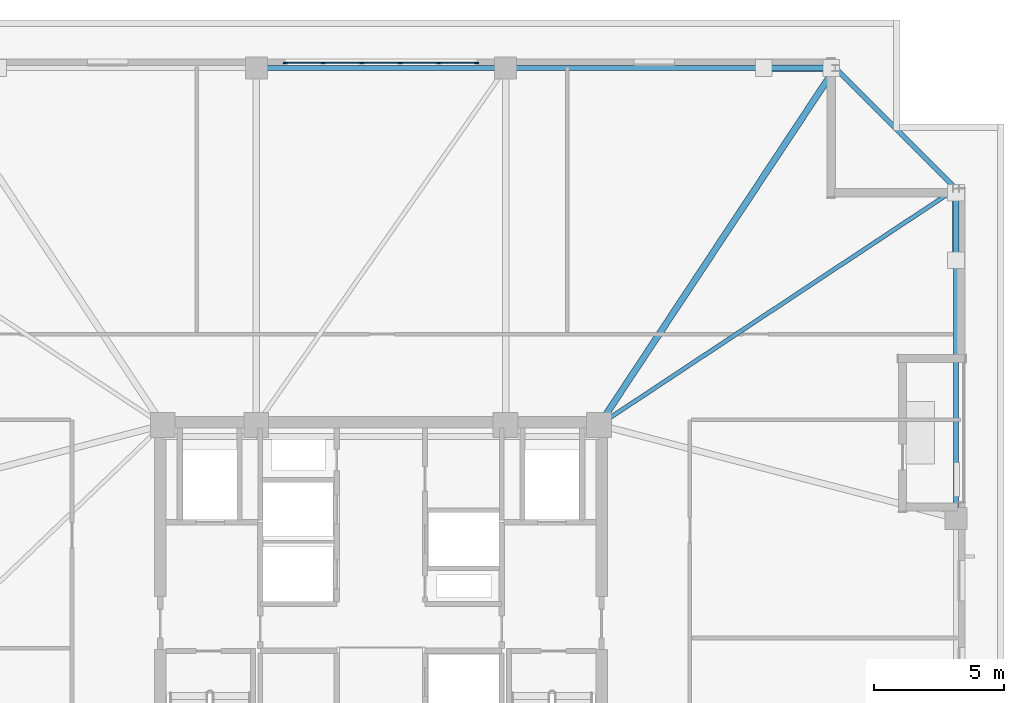
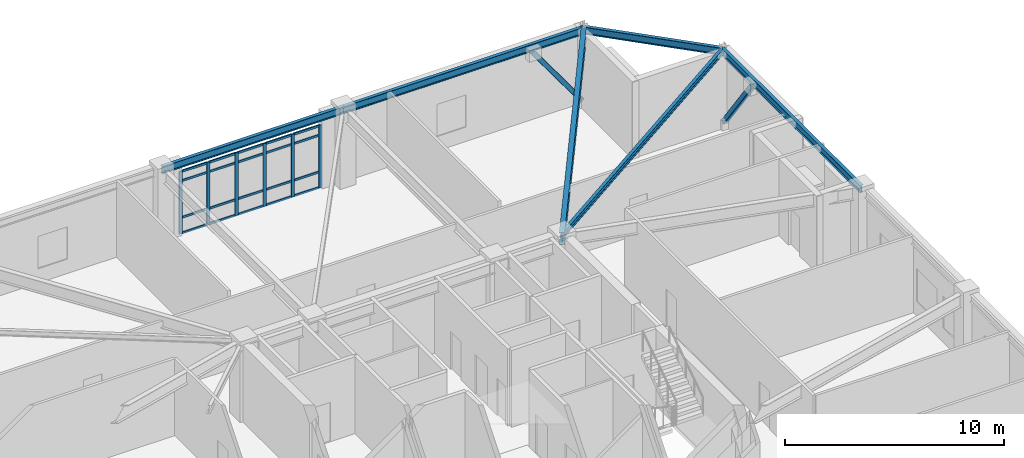
# One storey, part 9 of 18: 28 members, 6 beams, 1 element without a shape of its own.
"""IFC4 building model written with IfcOpenShell, lengths in metres."""

import ifcopenshell
import ifcopenshell.guid

model = None  # the IFC model being written
_history = None  # IfcOwnerHistory: only IFC2X3 demands one
_inside = {}  # id of a spatial element -> (the spatial element, [elements in it])
_under = {}  # id of a project, library or spatial element -> (it, [spatial elements below it])
_declared = {}  # id of a project -> (the project, [libraries it declares])
_typed = {}  # id of a type object -> (the type object, [elements of that type])
_made_of = {}  # id of a material, layer set ... -> (it, [elements and type objects made of it])


def new_model(schema):
    """Start an empty IFC model of exactly this schema.

    Asked for "IFC4X3", IfcOpenShell would pick the latest addendum, in which some entities
    have other attributes; the version numbers below select the first issue.
    IFC2X3 requires an IfcOwnerHistory on every rooted entity: one is made here for all.
    """
    global model, _history
    if schema == "IFC4X3":
        model = ifcopenshell.file(schema_version=(4, 3, 0, 0))
    else:
        model = ifcopenshell.file(schema=schema)
    _inside.clear()
    _under.clear()
    _declared.clear()
    _typed.clear()
    _made_of.clear()
    _history = None
    if model.schema == "IFC2X3":
        org = make("IfcOrganization", Name="unknown")
        user = make(
            "IfcPersonAndOrganization",
            ThePerson=make("IfcPerson", FamilyName="unknown"),
            TheOrganization=org,
        )
        app = make(
            "IfcApplication",
            ApplicationDeveloper=org,
            Version="unknown",
            ApplicationFullName="unknown",
            ApplicationIdentifier="unknown",
        )
        _history = make(
            "IfcOwnerHistory",
            OwningUser=user,
            OwningApplication=app,
            ChangeAction="ADDED",
            CreationDate=0,
        )
    return model


def make(cls, **values):
    """One entity of the class cls with the attributes given. An attribute that is None is left unset."""
    return model.create_entity(
        cls, **{name: value for name, value in values.items() if value is not None}
    )


def rooted(cls, **values):
    """An entity with a GlobalId (a new one), such as an element, a storey or a relation."""
    return make(cls, GlobalId=ifcopenshell.guid.new(), OwnerHistory=_history, **values)


def si_unit(unit_type, name, prefix=None):
    """IfcSIUnit, for example si_unit("LENGTHUNIT", "METRE", prefix="MILLI")."""
    return make("IfcSIUnit", UnitType=unit_type, Prefix=prefix, Name=name)


def assignment(units):
    """IfcUnitAssignment: the units of a project."""
    return None if units is None else make("IfcUnitAssignment", Units=units)


def point(xyz):
    """IfcCartesianPoint."""
    return None if xyz is None else make("IfcCartesianPoint", Coordinates=xyz)


def direction(xyz):
    """IfcDirection."""
    return None if xyz is None else make("IfcDirection", DirectionRatios=xyz)


def frame(location, z_axis=None, x_axis=None):
    """IfcAxis2Placement3D, a coordinate frame: its origin and axes. An axis left out is left unset."""
    return make(
        "IfcAxis2Placement3D",
        Location=point(location),
        Axis=direction(z_axis),
        RefDirection=direction(x_axis),
    )


def frame_2d(location, x_axis=None):
    """IfcAxis2Placement2D, a coordinate frame in the plane: its origin and x axis."""
    return make(
        "IfcAxis2Placement2D", Location=point(location), RefDirection=direction(x_axis)
    )


def origin():
    """The frame at (0, 0, 0) with its axes left unset."""
    return frame((0.0, 0.0, 0.0))


def origin_2d():
    """The frame at (0, 0) in the plane with its x axis left unset."""
    return frame_2d((0.0, 0.0))


def place(relative_to, where):
    """IfcLocalPlacement: puts the frame where relative to a parent placement (None: the world)."""
    return make(
        "IfcLocalPlacement", PlacementRelTo=relative_to, RelativePlacement=where
    )


def context(
    kind, dimensions, precision=None, world=None, true_north=None, identifier=None
):
    """IfcGeometricRepresentationContext, for example the 3D "Model" context."""
    return make(
        "IfcGeometricRepresentationContext",
        ContextIdentifier=identifier,
        ContextType=kind,
        CoordinateSpaceDimension=dimensions,
        Precision=precision,
        WorldCoordinateSystem=world,
        TrueNorth=true_north,
    )


def subcontext(parent, identifier, kind, view, scale=None):
    """IfcGeometricRepresentationSubContext, for example "Body" below "Model"."""
    return make(
        "IfcGeometricRepresentationSubContext",
        ContextIdentifier=identifier,
        ContextType=kind,
        ParentContext=parent,
        TargetScale=scale,
        TargetView=view,
    )


def project(units=None, contexts=None):
    """IfcProject with its units and contexts."""
    return rooted(
        "IfcProject",
        Name="project",
        RepresentationContexts=contexts,
        UnitsInContext=assignment(units),
    )


def spatial(cls, under=None, at=None, **own):
    """A site, building, storey or space (cls), placed at a placement, below another one or the project."""
    s = rooted(cls, ObjectPlacement=at, **own)
    if under is not None:
        _under.setdefault(under.id(), (under, []))[1].append(s)
    return s


def profile(cls, at=None, kind="AREA", **sizes):
    """A parametric profile (cls). Its sizes go by their IFC names, for example OverallWidth=200.0."""
    return make(cls, ProfileType=kind, Position=at, **sizes)


def rectangle(**sizes):
    """IfcRectangleProfileDef."""
    return profile("IfcRectangleProfileDef", **sizes)


def hollow_rectangle(**sizes):
    """IfcRectangleHollowProfileDef."""
    return profile("IfcRectangleHollowProfileDef", **sizes)


def i_section(**sizes):
    """IfcIShapeProfileDef."""
    return profile("IfcIShapeProfileDef", **sizes)


def extrude(swept, where, along, depth):
    """IfcExtrudedAreaSolid: the profile swept, set in the frame where, extruded along a direction by depth."""
    return make(
        "IfcExtrudedAreaSolid",
        SweptArea=swept,
        Position=where,
        ExtrudedDirection=direction(along),
        Depth=depth,
    )


def shape(context_of_items, identifier, shape_type, items):
    """IfcShapeRepresentation: the items that make up one representation, for example the "Body"."""
    return make(
        "IfcShapeRepresentation",
        ContextOfItems=context_of_items,
        RepresentationIdentifier=identifier,
        RepresentationType=shape_type,
        Items=items,
    )


def material(Name=None, Category=None):
    """IfcMaterial."""
    return make("IfcMaterial", Name=Name, Category=Category)


def layer(
    of_material, thickness, ventilated=None, Name=None, Category=None, Priority=None
):
    """IfcMaterialLayer: one layer of a wall or slab, of a material (None: an air gap)."""
    return make(
        "IfcMaterialLayer",
        Material=of_material,
        LayerThickness=thickness,
        IsVentilated=ventilated,
        Name=Name,
        Category=Category,
        Priority=Priority,
    )


def layer_set(layers, Name=None):
    """IfcMaterialLayerSet."""
    return make("IfcMaterialLayerSet", MaterialLayers=layers, LayerSetName=Name)


def material_profile(
    of_material, cross_section, Name=None, Category=None, Priority=None
):
    """IfcMaterialProfile: a cross section and its material."""
    return make(
        "IfcMaterialProfile",
        Name=Name,
        Material=of_material,
        Profile=cross_section,
        Priority=Priority,
        Category=Category,
    )


def profile_set(profiles, Name=None, composite=None):
    """IfcMaterialProfileSet."""
    return make(
        "IfcMaterialProfileSet",
        Name=Name,
        MaterialProfiles=profiles,
        CompositeProfile=composite,
    )


def made_of(thing, what):
    """Note that an element or type object is made of a material, layer set ...; save() writes the relation."""
    if what is not None:
        _made_of.setdefault(what.id(), (what, []))[1].append(thing)
    return thing


def type_object(cls, material=None, **own):
    """A type object (cls), such as IfcWallType, which elements share."""
    return made_of(rooted(cls, **own), material)


def element(
    cls,
    number,
    at=None,
    inside=None,
    cuts=None,
    type_object=None,
    material=None,
    context=None,
    identifier="Body",
    shape_type=None,
    held_by="IfcProductDefinitionShape",
    body=None,
    shapes=None,
    **own,
):
    """One element of the class cls, such as IfcWall. Its Tag is "e" and its number.

    at: its placement. inside: the storey or other place that contains it. cuts: it is an
    opening in that element (IfcRelVoidsElement). A single representation is given by context,
    identifier, shape_type and body (its items); several are given by shapes. held_by: the class
    of the entity that holds the representations. save() writes the other relations.
    """
    e = rooted(cls, Tag="e%d" % number, ObjectPlacement=at, **own)
    if body is not None:
        shapes = [shape(context, identifier, shape_type, body)]
    if shapes is not None:
        e.Representation = make(held_by, Representations=shapes)
    if inside is not None:
        _inside.setdefault(inside.id(), (inside, []))[1].append(e)
    if cuts is not None:
        rooted(
            "IfcRelVoidsElement", RelatingBuildingElement=cuts, RelatedOpeningElement=e
        )
    if type_object is not None:
        _typed.setdefault(type_object.id(), (type_object, []))[1].append(e)
    return made_of(e, material)


def aggregate(whole, parts):
    """IfcRelAggregates: a whole, such as a stair, and the parts it consists of."""
    return rooted("IfcRelAggregates", RelatingObject=whole, RelatedObjects=parts)


def save(model, path):
    """Write the relations noted so far, then the file.

    IfcRelAggregates (storeys below a building ...), IfcRelContainedInSpatialStructure (elements
    in a storey), IfcRelDefinesByType, IfcRelAssociatesMaterial and IfcRelDeclares: one each for
    every whole, place, type object, material and project.
    """
    for whole, parts in _under.values():
        aggregate(whole, parts)
    for where, things in _inside.values():
        rooted(
            "IfcRelContainedInSpatialStructure",
            RelatedElements=things,
            RelatingStructure=where,
        )
    for kind, things in _typed.values():
        rooted("IfcRelDefinesByType", RelatedObjects=things, RelatingType=kind)
    for what, things in _made_of.values():
        rooted("IfcRelAssociatesMaterial", RelatedObjects=things, RelatingMaterial=what)
    for by, libraries in _declared.values():
        rooted("IfcRelDeclares", RelatingContext=by, RelatedDefinitions=libraries)
    model.write(path)


model = new_model("IFC4")

# Units and contexts
model_context = context("Model", 3, precision=1e-05, world=origin(), true_north=direction((0.0, 1.0)))
body_context = subcontext(model_context, "Body", "Model", "MODEL_VIEW")
ifc_project = project(units=[si_unit("LENGTHUNIT", "METRE"), si_unit("AREAUNIT", "SQUARE_METRE"), si_unit("VOLUMEUNIT", "CUBIC_METRE"), si_unit("PLANEANGLEUNIT", "RADIAN"), si_unit("MASSUNIT", "GRAM", prefix="KILO")], contexts=[model_context])

# Site, building, storey
site_placement = place(None, origin())
site = spatial("IfcSite", under=ifc_project, at=site_placement, CompositionType="ELEMENT")
building_placement = place(site_placement, origin())
building = spatial("IfcBuilding", under=site, at=building_placement, Name="Cairnveth Concourse Tower", CompositionType="ELEMENT")
storey_placement = place(building_placement, frame((0.0, 0.0, 198.0)))
storey = spatial("IfcBuildingStorey", under=building, at=storey_placement, Name="L54", CompositionType="ELEMENT", Elevation=198.0)

# Curtain wall, members
ifc_material_1 = material(Name="Architectural Bronze Anodised Aluminium 6063-T6", Category="aluminium")
ifc_layer = layer(ifc_material_1, 0.320068359375)
ifc_layer_set = layer_set([ifc_layer], Name="Architectural Bronze Anodised Aluminium 6063-T6")
curtain_wall_type = type_object("IfcCurtainWallType", Name="SKY LOBBY WINTERGARDEN CURTAIN WALL", PredefinedType="USERDEFINED", material=ifc_layer_set)
curtain_wall_placement = place(storey_placement, origin())
curtain_wall = element("IfcCurtainWall", 1, at=curtain_wall_placement, inside=storey, type_object=curtain_wall_type, Name="Curtain Wall CW-L54-F9", ObjectType="UNITISED FACADE", PredefinedType="USERDEFINED")
ifc_material_profile_1 = material_profile(ifc_material_1, rectangle(XDim=0.06494140625, YDim=0.179931640625, at=origin_2d()), Name="AL-MUL-65x180")
ifc_profile_set_1 = profile_set([ifc_material_profile_1], Name="Architectural Bronze Anodised Aluminium 6063-T6")
member_type_1 = type_object("IfcMemberType", Name="BRONZE CURTAIN WALL MULLION AL-MUL-65x180", PredefinedType="MULLION", material=ifc_profile_set_1)
member_1_placement = place(storey_placement, frame((48.3173828125, 61.340087890625, 0.0), z_axis=(0.0, 0.0, 1.0), x_axis=(0.0, 1.0, 0.0)))
member_1 = element("IfcMember", 2, at=member_1_placement, type_object=member_type_1, Name="CWS4 mullion 1", PredefinedType="MULLION", context=body_context, shape_type="SweptSolid", body=[
    extrude(rectangle(XDim=0.06494140625, YDim=0.179931640625, at=origin_2d()), origin(), (0.0, 0.0, 1.0), 3.498046875),
])
member_2_placement = place(storey_placement, frame((49.77099609375, 61.340087890625, 0.0), z_axis=(0.0, 0.0, 1.0), x_axis=(0.0, 1.0, 0.0)))
member_2 = element("IfcMember", 3, at=member_2_placement, type_object=member_type_1, Name="CWS4 mullion 2", PredefinedType="MULLION", context=body_context, shape_type="SweptSolid", body=[
    extrude(rectangle(XDim=0.06494140625, YDim=0.179931640625, at=origin_2d()), origin(), (0.0, 0.0, 1.0), 3.498046875),
])
member_3_placement = place(storey_placement, frame((51.257080078125, 61.340087890625, 0.0), z_axis=(0.0, 0.0, 1.0), x_axis=(0.0, 1.0, 0.0)))
member_3 = element("IfcMember", 4, at=member_3_placement, type_object=member_type_1, Name="CWS4 mullion 3", PredefinedType="MULLION", context=body_context, shape_type="SweptSolid", body=[
    extrude(rectangle(XDim=0.06494140625, YDim=0.179931640625, at=origin_2d()), origin(), (0.0, 0.0, 1.0), 3.498046875),
])
member_4_placement = place(storey_placement, frame((52.742919921875, 61.340087890625, 0.0), z_axis=(0.0, 0.0, 1.0), x_axis=(0.0, 1.0, 0.0)))
member_4 = element("IfcMember", 5, at=member_4_placement, type_object=member_type_1, Name="CWS4 mullion 4", PredefinedType="MULLION", context=body_context, shape_type="SweptSolid", body=[
    extrude(rectangle(XDim=0.06494140625, YDim=0.179931640625, at=origin_2d()), origin(), (0.0, 0.0, 1.0), 3.498046875),
])
member_5_placement = place(storey_placement, frame((54.22900390625, 61.340087890625, 0.0), z_axis=(0.0, 0.0, 1.0), x_axis=(0.0, 1.0, 0.0)))
member_5 = element("IfcMember", 6, at=member_5_placement, type_object=member_type_1, Name="CWS4 mullion 5", PredefinedType="MULLION", context=body_context, shape_type="SweptSolid", body=[
    extrude(rectangle(XDim=0.06494140625, YDim=0.179931640625, at=origin_2d()), origin(), (0.0, 0.0, 1.0), 3.498046875),
])
member_6_placement = place(storey_placement, frame((55.6826171875, 61.340087890625, 0.0), z_axis=(0.0, 0.0, 1.0), x_axis=(0.0, 1.0, 0.0)))
member_6 = element("IfcMember", 7, at=member_6_placement, type_object=member_type_1, Name="CWS4 mullion 6", PredefinedType="MULLION", context=body_context, shape_type="SweptSolid", body=[
    extrude(rectangle(XDim=0.06494140625, YDim=0.179931640625, at=origin_2d()), origin(), (0.0, 0.0, 1.0), 3.498046875),
])
ifc_material_profile_2 = material_profile(ifc_material_1, rectangle(XDim=0.06494140625, YDim=0.1201171875, at=origin_2d()), Name="AL-TRN-65x120")
ifc_profile_set_2 = profile_set([ifc_material_profile_2], Name="Architectural Bronze Anodised Aluminium 6063-T6")
member_type_2 = type_object("IfcMemberType", Name="BRONZE CURTAIN WALL TRANSOM AL-TRN-65x120", PredefinedType="USERDEFINED", material=ifc_profile_set_2)
member_7_placement = place(storey_placement, frame((48.35009765625, 61.340087890625, 0.032470703125), z_axis=(1.0, 0.0, 0.0), x_axis=(0.0, 1.0, 0.0)))
member_7 = element("IfcMember", 8, at=member_7_placement, type_object=member_type_2, Name="CWS4 transom 1.1", ObjectType="TRANSOM", PredefinedType="USERDEFINED", context=body_context, shape_type="SweptSolid", body=[
    extrude(rectangle(XDim=0.06494140625, YDim=0.1201171875, at=origin_2d()), origin(), (0.0, 0.0, 1.0), 1.388427734375),
])
member_8_placement = place(storey_placement, frame((48.35009765625, 61.340087890625, 0.89990234375), z_axis=(1.0, 0.0, 0.0), x_axis=(0.0, 1.0, 0.0)))
member_8 = element("IfcMember", 9, at=member_8_placement, type_object=member_type_2, Name="CWS4 transom 1.2", ObjectType="TRANSOM", PredefinedType="USERDEFINED", context=body_context, shape_type="SweptSolid", body=[
    extrude(rectangle(XDim=0.06494140625, YDim=0.1201171875, at=origin_2d()), origin(), (0.0, 0.0, 1.0), 1.388427734375),
])
member_9_placement = place(storey_placement, frame((48.35009765625, 61.340087890625, 2.947998046875), z_axis=(1.0, 0.0, 0.0), x_axis=(0.0, 1.0, 0.0)))
member_9 = element("IfcMember", 10, at=member_9_placement, type_object=member_type_2, Name="CWS4 transom 1.3", ObjectType="TRANSOM", PredefinedType="USERDEFINED", context=body_context, shape_type="SweptSolid", body=[
    extrude(rectangle(XDim=0.06494140625, YDim=0.1201171875, at=origin_2d()), origin(), (0.0, 0.0, 1.0), 1.388427734375),
])
member_10_placement = place(storey_placement, frame((48.35009765625, 61.340087890625, 3.465576171875), z_axis=(1.0, 0.0, 0.0), x_axis=(0.0, 1.0, 0.0)))
member_10 = element("IfcMember", 11, at=member_10_placement, type_object=member_type_2, Name="CWS4 transom 1.4", ObjectType="TRANSOM", PredefinedType="USERDEFINED", context=body_context, shape_type="SweptSolid", body=[
    extrude(rectangle(XDim=0.06494140625, YDim=0.1201171875, at=origin_2d()), origin(), (0.0, 0.0, 1.0), 1.388427734375),
])
member_11_placement = place(storey_placement, frame((49.803466796875, 61.340087890625, 0.032470703125), z_axis=(1.0, 0.0, 0.0), x_axis=(0.0, 1.0, 0.0)))
member_11 = element("IfcMember", 12, at=member_11_placement, type_object=member_type_2, Name="CWS4 transom 2.1", ObjectType="TRANSOM", PredefinedType="USERDEFINED", context=body_context, shape_type="SweptSolid", body=[
    extrude(rectangle(XDim=0.06494140625, YDim=0.1201171875, at=origin_2d()), origin(), (0.0, 0.0, 1.0), 1.421142578125),
])
member_12_placement = place(storey_placement, frame((49.803466796875, 61.340087890625, 0.89990234375), z_axis=(1.0, 0.0, 0.0), x_axis=(0.0, 1.0, 0.0)))
member_12 = element("IfcMember", 13, at=member_12_placement, type_object=member_type_2, Name="CWS4 transom 2.2", ObjectType="TRANSOM", PredefinedType="USERDEFINED", context=body_context, shape_type="SweptSolid", body=[
    extrude(rectangle(XDim=0.06494140625, YDim=0.1201171875, at=origin_2d()), origin(), (0.0, 0.0, 1.0), 1.421142578125),
])
member_13_placement = place(storey_placement, frame((49.803466796875, 61.340087890625, 2.947998046875), z_axis=(1.0, 0.0, 0.0), x_axis=(0.0, 1.0, 0.0)))
member_13 = element("IfcMember", 14, at=member_13_placement, type_object=member_type_2, Name="CWS4 transom 2.3", ObjectType="TRANSOM", PredefinedType="USERDEFINED", context=body_context, shape_type="SweptSolid", body=[
    extrude(rectangle(XDim=0.06494140625, YDim=0.1201171875, at=origin_2d()), origin(), (0.0, 0.0, 1.0), 1.421142578125),
])
member_14_placement = place(storey_placement, frame((49.803466796875, 61.340087890625, 3.465576171875), z_axis=(1.0, 0.0, 0.0), x_axis=(0.0, 1.0, 0.0)))
member_14 = element("IfcMember", 15, at=member_14_placement, type_object=member_type_2, Name="CWS4 transom 2.4", ObjectType="TRANSOM", PredefinedType="USERDEFINED", context=body_context, shape_type="SweptSolid", body=[
    extrude(rectangle(XDim=0.06494140625, YDim=0.1201171875, at=origin_2d()), origin(), (0.0, 0.0, 1.0), 1.421142578125),
])
member_15_placement = place(storey_placement, frame((51.28955078125, 61.340087890625, 0.032470703125), z_axis=(1.0, 0.0, 0.0), x_axis=(0.0, 1.0, 0.0)))
member_15 = element("IfcMember", 16, at=member_15_placement, type_object=member_type_2, Name="CWS4 transom 3.1", ObjectType="TRANSOM", PredefinedType="USERDEFINED", context=body_context, shape_type="SweptSolid", body=[
    extrude(rectangle(XDim=0.06494140625, YDim=0.1201171875, at=origin_2d()), origin(), (0.0, 0.0, 1.0), 1.4208984375),
])
member_16_placement = place(storey_placement, frame((51.28955078125, 61.340087890625, 0.89990234375), z_axis=(1.0, 0.0, 0.0), x_axis=(0.0, 1.0, 0.0)))
member_16 = element("IfcMember", 17, at=member_16_placement, type_object=member_type_2, Name="CWS4 transom 3.2", ObjectType="TRANSOM", PredefinedType="USERDEFINED", context=body_context, shape_type="SweptSolid", body=[
    extrude(rectangle(XDim=0.06494140625, YDim=0.1201171875, at=origin_2d()), origin(), (0.0, 0.0, 1.0), 1.4208984375),
])
member_17_placement = place(storey_placement, frame((51.28955078125, 61.340087890625, 2.947998046875), z_axis=(1.0, 0.0, 0.0), x_axis=(0.0, 1.0, 0.0)))
member_17 = element("IfcMember", 18, at=member_17_placement, type_object=member_type_2, Name="CWS4 transom 3.3", ObjectType="TRANSOM", PredefinedType="USERDEFINED", context=body_context, shape_type="SweptSolid", body=[
    extrude(rectangle(XDim=0.06494140625, YDim=0.1201171875, at=origin_2d()), origin(), (0.0, 0.0, 1.0), 1.4208984375),
])
member_18_placement = place(storey_placement, frame((51.28955078125, 61.340087890625, 3.465576171875), z_axis=(1.0, 0.0, 0.0), x_axis=(0.0, 1.0, 0.0)))
member_18 = element("IfcMember", 19, at=member_18_placement, type_object=member_type_2, Name="CWS4 transom 3.4", ObjectType="TRANSOM", PredefinedType="USERDEFINED", context=body_context, shape_type="SweptSolid", body=[
    extrude(rectangle(XDim=0.06494140625, YDim=0.1201171875, at=origin_2d()), origin(), (0.0, 0.0, 1.0), 1.4208984375),
])
member_19_placement = place(storey_placement, frame((52.775390625, 61.340087890625, 0.032470703125), z_axis=(1.0, 0.0, 0.0), x_axis=(0.0, 1.0, 0.0)))
member_19 = element("IfcMember", 20, at=member_19_placement, type_object=member_type_2, Name="CWS4 transom 4.1", ObjectType="TRANSOM", PredefinedType="USERDEFINED", context=body_context, shape_type="SweptSolid", body=[
    extrude(rectangle(XDim=0.06494140625, YDim=0.1201171875, at=origin_2d()), origin(), (0.0, 0.0, 1.0), 1.421142578125),
])
member_20_placement = place(storey_placement, frame((52.775390625, 61.340087890625, 0.89990234375), z_axis=(1.0, 0.0, 0.0), x_axis=(0.0, 1.0, 0.0)))
member_20 = element("IfcMember", 21, at=member_20_placement, type_object=member_type_2, Name="CWS4 transom 4.2", ObjectType="TRANSOM", PredefinedType="USERDEFINED", context=body_context, shape_type="SweptSolid", body=[
    extrude(rectangle(XDim=0.06494140625, YDim=0.1201171875, at=origin_2d()), origin(), (0.0, 0.0, 1.0), 1.421142578125),
])
member_21_placement = place(storey_placement, frame((52.775390625, 61.340087890625, 2.947998046875), z_axis=(1.0, 0.0, 0.0), x_axis=(0.0, 1.0, 0.0)))
member_21 = element("IfcMember", 22, at=member_21_placement, type_object=member_type_2, Name="CWS4 transom 4.3", ObjectType="TRANSOM", PredefinedType="USERDEFINED", context=body_context, shape_type="SweptSolid", body=[
    extrude(rectangle(XDim=0.06494140625, YDim=0.1201171875, at=origin_2d()), origin(), (0.0, 0.0, 1.0), 1.421142578125),
])
member_22_placement = place(storey_placement, frame((52.775390625, 61.340087890625, 3.465576171875), z_axis=(1.0, 0.0, 0.0), x_axis=(0.0, 1.0, 0.0)))
member_22 = element("IfcMember", 23, at=member_22_placement, type_object=member_type_2, Name="CWS4 transom 4.4", ObjectType="TRANSOM", PredefinedType="USERDEFINED", context=body_context, shape_type="SweptSolid", body=[
    extrude(rectangle(XDim=0.06494140625, YDim=0.1201171875, at=origin_2d()), origin(), (0.0, 0.0, 1.0), 1.421142578125),
])
member_23_placement = place(storey_placement, frame((54.261474609375, 61.340087890625, 0.032470703125), z_axis=(1.0, 0.0, 0.0), x_axis=(0.0, 1.0, 0.0)))
member_23 = element("IfcMember", 24, at=member_23_placement, type_object=member_type_2, Name="CWS4 transom 5.1", ObjectType="TRANSOM", PredefinedType="USERDEFINED", context=body_context, shape_type="SweptSolid", body=[
    extrude(rectangle(XDim=0.06494140625, YDim=0.1201171875, at=origin_2d()), origin(), (0.0, 0.0, 1.0), 1.388427734375),
])
member_24_placement = place(storey_placement, frame((54.261474609375, 61.340087890625, 0.89990234375), z_axis=(1.0, 0.0, 0.0), x_axis=(0.0, 1.0, 0.0)))
member_24 = element("IfcMember", 25, at=member_24_placement, type_object=member_type_2, Name="CWS4 transom 5.2", ObjectType="TRANSOM", PredefinedType="USERDEFINED", context=body_context, shape_type="SweptSolid", body=[
    extrude(rectangle(XDim=0.06494140625, YDim=0.1201171875, at=origin_2d()), origin(), (0.0, 0.0, 1.0), 1.388427734375),
])
member_25_placement = place(storey_placement, frame((54.261474609375, 61.340087890625, 2.947998046875), z_axis=(1.0, 0.0, 0.0), x_axis=(0.0, 1.0, 0.0)))
member_25 = element("IfcMember", 26, at=member_25_placement, type_object=member_type_2, Name="CWS4 transom 5.3", ObjectType="TRANSOM", PredefinedType="USERDEFINED", context=body_context, shape_type="SweptSolid", body=[
    extrude(rectangle(XDim=0.06494140625, YDim=0.1201171875, at=origin_2d()), origin(), (0.0, 0.0, 1.0), 1.388427734375),
])
member_26_placement = place(storey_placement, frame((54.261474609375, 61.340087890625, 3.465576171875), z_axis=(1.0, 0.0, 0.0), x_axis=(0.0, 1.0, 0.0)))
member_26 = element("IfcMember", 27, at=member_26_placement, type_object=member_type_2, Name="CWS4 transom 5.4", ObjectType="TRANSOM", PredefinedType="USERDEFINED", context=body_context, shape_type="SweptSolid", body=[
    extrude(rectangle(XDim=0.06494140625, YDim=0.1201171875, at=origin_2d()), origin(), (0.0, 0.0, 1.0), 1.388427734375),
])
aggregate(curtain_wall, [member_1, member_2, member_3, member_4, member_5, member_6, member_7, member_8, member_9, member_10, member_11, member_12, member_13, member_14, member_15, member_16, member_17, member_18, member_19, member_20, member_21, member_22, member_23, member_24, member_25, member_26])

# Beam
ifc_material_2 = material(Name="Steel Grade 350", Category="steel")
ifc_material_profile_3 = material_profile(ifc_material_2, i_section(OverallWidth=0.166015625, OverallDepth=0.306884765625, WebThickness=0.006591796875, FlangeThickness=0.01171875, FilletRadius=0.010986328125, at=origin_2d()), Name="310UB46.2")
ifc_profile_set_3 = profile_set([ifc_material_profile_3], Name="Steel Grade 350")
beam_type_1 = type_object("IfcBeamType", Name="ZONE 3 FLOOR JOIST 310UB46.2", PredefinedType="JOIST", material=ifc_profile_set_3)
beam_1_placement = place(storey_placement, frame((74.14990234375, 56.5, 4.136474609375), z_axis=(-0.833908956207, -0.551902031848, 0.0), x_axis=(0.551902031848, -0.833908956207, 0.0)))
element("IfcBeam", 28, at=beam_1_placement, inside=storey, type_object=beam_type_1, Name="Beam FJ-CNE2 L54", PredefinedType="JOIST", context=body_context, shape_type="SweptSolid", body=[
    extrude(i_section(OverallWidth=0.166015625, OverallDepth=0.306884765625, WebThickness=0.006591796875, FlangeThickness=0.01171875, FilletRadius=0.010986328125, at=origin_2d()), origin(), (0.0, 0.0, 1.0), 16.488525390625),
])

# Members
ifc_material_3 = material(Name="Steel C350L0 (350 MPa)", Category="steel")
ifc_material_profile_4 = material_profile(ifc_material_3, hollow_rectangle(XDim=0.25, YDim=0.25, WallThickness=0.012451171875, InnerFilletRadius=0.012939453125, OuterFilletRadius=0.02490234375, at=origin_2d()), Name="250x250x12.5SHS")
ifc_profile_set_4 = profile_set([ifc_material_profile_4], Name="Steel C350L0 (350 MPa)")
member_type_3 = type_object("IfcMemberType", Name="ZONE 3 PIER BRACE 250X250X12.5SHS", PredefinedType="BRACE", material=ifc_profile_set_4)
for number, where, z_axis, x_axis, name in (
    (29, (69.35009765625, 61.14990234375, 0.25), (-0.586565875469, 0.0, 0.809901521011), (0.0, -1.0, 0.0), "Structural Brace PB-N2 L54"),
    (30, (74.14990234375, 56.35009765625, 0.25), (0.0, -0.586565875469, 0.809901521011), (1.0, 0.0, 0.0), "Structural Brace PB-E2 L54"),
):
    element("IfcMember", number, at=place(storey_placement, frame(where, z_axis=z_axis, x_axis=x_axis)), inside=storey, type_object=member_type_3, Name=name, PredefinedType="BRACE", context=body_context, shape_type="SweptSolid", body=[
        extrude(hollow_rectangle(XDim=0.25, YDim=0.25, WallThickness=0.012451171875, InnerFilletRadius=0.012939453125, OuterFilletRadius=0.02490234375, at=origin_2d()), origin(), (0.0, 0.0, 1.0), 4.432861328125),
    ])

# Beams
ifc_material_profile_5 = material_profile(ifc_material_2, i_section(OverallWidth=0.25, OverallDepth=0.69189453125, WebThickness=0.010009765625, FlangeThickness=0.02490234375, at=origin_2d()), Name="700WB150")
ifc_profile_set_5 = profile_set([ifc_material_profile_5], Name="Steel Grade 350")
beam_type_2 = type_object("IfcBeamType", Name="ZONE 3 RADIAL GIRDER 700WB150", PredefinedType="BEAM", material=ifc_profile_set_5)
beam_2_placement = place(storey_placement, frame((69.5, 61.14990234375, 3.944091796875), z_axis=(-0.551902031848, -0.833908956207, 0.0), x_axis=(0.833908956207, -0.551902031848, 0.0)))
element("IfcBeam", 31, at=beam_2_placement, inside=storey, type_object=beam_type_2, Name="Beam RG-CNE L54", PredefinedType="BEAM", context=body_context, shape_type="SweptSolid", body=[
    extrude(i_section(OverallWidth=0.25, OverallDepth=0.69189453125, WebThickness=0.010009765625, FlangeThickness=0.02490234375, at=origin_2d()), origin(), (0.0, 0.0, 1.0), 16.488525390625),
])
ifc_material_profile_6 = material_profile(ifc_material_2, i_section(OverallWidth=0.177978515625, OverallDepth=0.406005859375, WebThickness=0.0078125, FlangeThickness=0.0126953125, FilletRadius=0.010986328125, at=origin_2d()), Name="410UB59.7")
ifc_profile_set_6 = profile_set([ifc_material_profile_6], Name="Steel Grade 350")
beam_type_3 = type_object("IfcBeamType", Name="ZONE 3 SPANDREL BEAM 410UB59.7", PredefinedType="SPANDREL", material=ifc_profile_set_6)
beam_3_placement = place(storey_placement, frame((47.199951171875, 61.14990234375, 4.0869140625), z_axis=(1.0, 0.0, 0.0), x_axis=(0.0, 1.0, 0.0)))
element("IfcBeam", 32, at=beam_3_placement, inside=storey, type_object=beam_type_3, Name="Beam SP-N2 L54", PredefinedType="SPANDREL", context=body_context, shape_type="SweptSolid", body=[
    extrude(i_section(OverallWidth=0.177978515625, OverallDepth=0.406005859375, WebThickness=0.0078125, FlangeThickness=0.0126953125, FilletRadius=0.010986328125, at=origin_2d()), origin(), (0.0, 0.0, 1.0), 9.60009765625),
])
for number, where, z_axis, x_axis, name in (
    (33, (56.800048828125, 61.14990234375, 4.0869140625), (1.0, 0.0, 0.0), (0.0, 1.0, 0.0), "Beam SP-N3 L54"),
    (34, (74.14990234375, 43.800048828125, 4.0869140625), (0.0, 1.0, 0.0), (-1.0, 0.0, 0.0), "Beam SP-E3 L54"),
):
    element("IfcBeam", number, at=place(storey_placement, frame(where, z_axis=z_axis, x_axis=x_axis)), inside=storey, type_object=beam_type_3, Name=name, PredefinedType="SPANDREL", context=body_context, shape_type="SweptSolid", body=[
        extrude(i_section(OverallWidth=0.177978515625, OverallDepth=0.406005859375, WebThickness=0.0078125, FlangeThickness=0.0126953125, FilletRadius=0.010986328125, at=origin_2d()), origin(), (0.0, 0.0, 1.0), 12.699951171875),
    ])
beam_4_placement = place(storey_placement, frame((69.5, 61.14990234375, 4.0869140625), z_axis=(0.707106781187, -0.707106781187, 0.0), x_axis=(0.707106781187, 0.707106781187, 0.0)))
element("IfcBeam", 35, at=beam_4_placement, inside=storey, type_object=beam_type_3, Name="Beam SP-NE L54", PredefinedType="SPANDREL", context=body_context, shape_type="SweptSolid", body=[
    extrude(i_section(OverallWidth=0.177978515625, OverallDepth=0.406005859375, WebThickness=0.0078125, FlangeThickness=0.0126953125, FilletRadius=0.010986328125, at=origin_2d()), origin(), (0.0, 0.0, 1.0), 6.575927734375),
])

save(model, "model.ifc")
